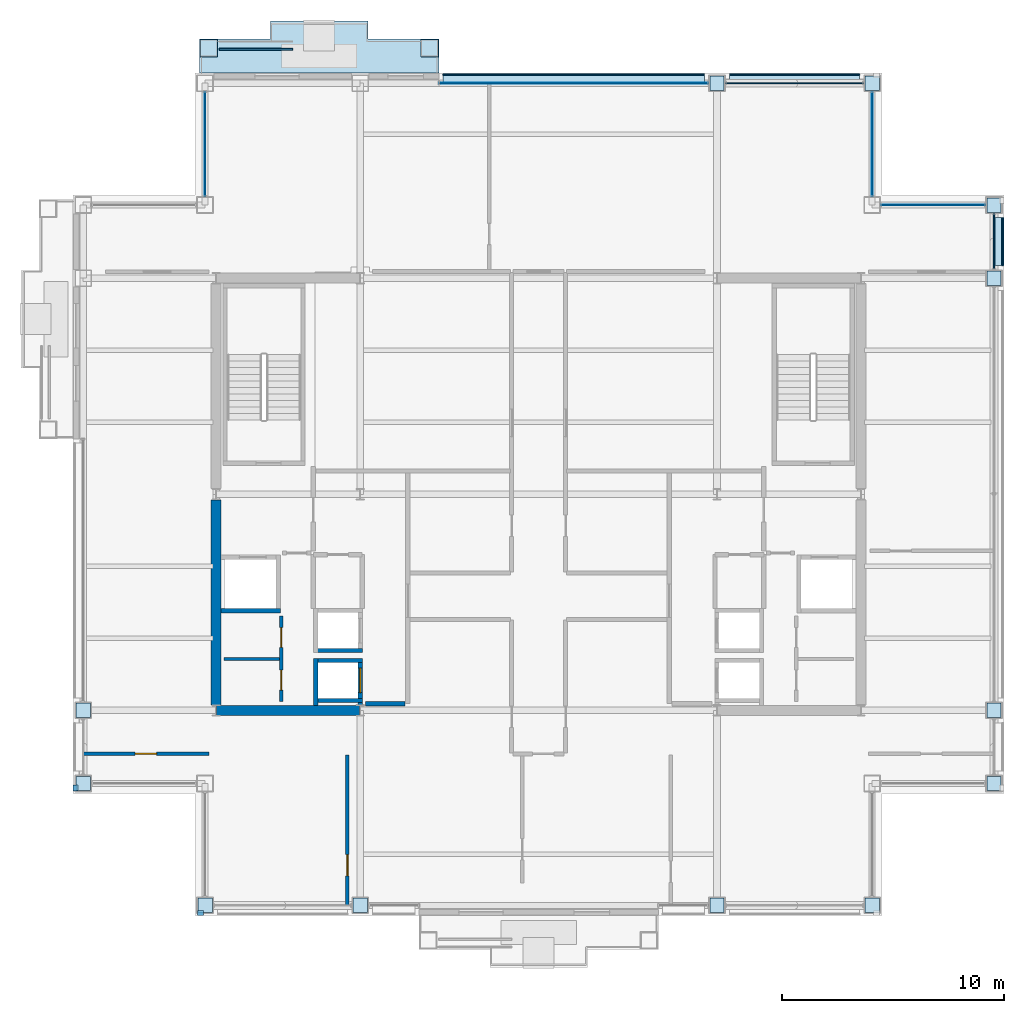
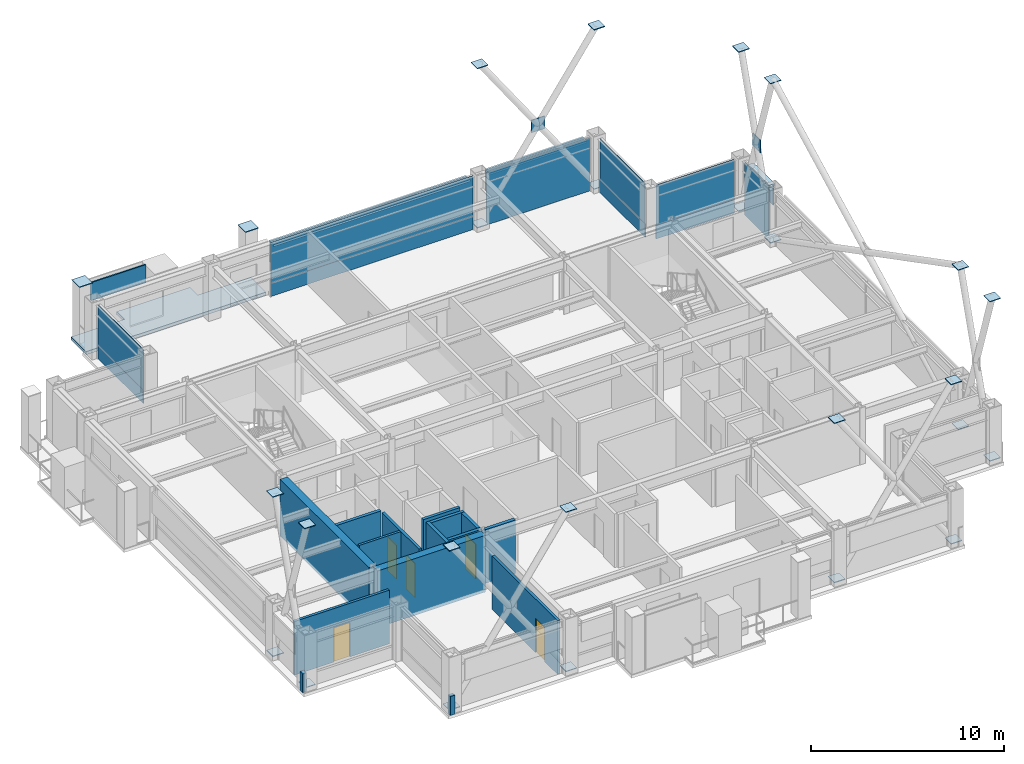
# One storey, part 26 of 32: 45 plates, 15 walls, 5 doors, 1 slab, 5 openings, 6 elements without a shape of their own.
"""IFC4 building model written with IfcOpenShell, lengths in metres."""

from ifc_helpers import new_model, si_unit, direction, frame, frame_2d, origin, origin_2d, place, context, subcontext, project, spatial, polyline, rectangle, outline, extrude, material, layer, layer_set, type_object, element, fill, aggregate, save


model = new_model("IFC4")

# Units and contexts
model_context = context("Model", 3, precision=1e-05, world=origin(), true_north=direction((0.0, 1.0)))
body_context = subcontext(model_context, "Body", "Model", "MODEL_VIEW")
ifc_project = project(units=[si_unit("LENGTHUNIT", "METRE"), si_unit("AREAUNIT", "SQUARE_METRE"), si_unit("VOLUMEUNIT", "CUBIC_METRE"), si_unit("PLANEANGLEUNIT", "RADIAN"), si_unit("MASSUNIT", "GRAM", prefix="KILO")], contexts=[model_context])

# Site, building, storey
site_placement = place(None, origin())
site = spatial("IfcSite", under=ifc_project, at=site_placement, CompositionType="ELEMENT")
building_placement = place(site_placement, origin())
building = spatial("IfcBuilding", under=site, at=building_placement, Name="Brelmoor Portico Tower", CompositionType="ELEMENT")
storey_placement = place(building_placement, frame((0.0, 0.0, 162.300048828125)))
storey = spatial("IfcBuildingStorey", under=building, at=storey_placement, Name="L42", CompositionType="ELEMENT", Elevation=162.300048828125)

# Plates
ifc_material_1 = material(Name="Steel Q355B", Category="steel")
ifc_layer_1 = layer(ifc_material_1, 0.044921875)
ifc_layer_set_1 = layer_set([ifc_layer_1], Name="Steel Q355B")
plate_type_1 = type_object("IfcPlateType", Name="PT-CAP-650", PredefinedType="SHEET", material=ifc_layer_set_1)
for number, where, z_axis, x_axis, name in (
    (1, (-14.8798828125, 20.1298828125, 3.599853515625), (0.0, 0.0, 1.0), (1.0, 0.0, 0.0), "L42 Proud Picture-Frame Pier PFJ-N1 Welded Head Cap Plate"),
    (2, (-4.919921875, 20.1298828125, 3.599853515625), (0.0, 0.0, 1.0), (1.0, 0.0, 0.0), "L42 Proud Picture-Frame Pier PFJ-N2 Welded Head Cap Plate"),
):
    element("IfcPlate", number, at=place(storey_placement, frame(where, z_axis=z_axis, x_axis=x_axis)), inside=storey, type_object=plate_type_1, Name=name, PredefinedType="SHEET", context=body_context, shape_type="SweptSolid", body=[
        extrude(rectangle(XDim=0.7900390625, YDim=0.7900390625, at=origin_2d()), origin(), (0.0, 0.0, 1.0), 0.0400390625),
    ])
for number, where, z_axis, x_axis, name in (
    (3, (-15.050048828125, -18.550048828125, 0.2275390625), (0.0, 0.0, 1.0), (1.0, 0.0, 0.0), "L42 Continuous Mega-X Brace 091A Joint Cap Plate 1"),
    (4, (-8.050048828125, -18.550048828125, 10.327392578125), (0.0, 0.0, 1.0), (1.0, 0.0, 0.0), "L42 Continuous Mega-X Brace 091A Joint Cap Plate 2"),
    (5, (-8.050048828125, -18.550048828125, 0.2275390625), (0.0, 0.0, 1.0), (1.0, 0.0, 0.0), "L42 Split Mega-X Brace 091B1 Joint Cap Plate 1"),
    (6, (-15.050048828125, -18.550048828125, 10.327392578125), (0.0, 0.0, 1.0), (1.0, 0.0, 0.0), "L42 Split Mega-X Brace 091B2 Joint Cap Plate 2"),
    (7, (8.050048828125, -18.550048828125, 0.2275390625), (0.0, 0.0, 1.0), (1.0, 0.0, 0.0), "L42 Continuous Mega-X Brace 092A Joint Cap Plate 1"),
    (8, (15.050048828125, -18.550048828125, 10.327392578125), (0.0, 0.0, 1.0), (1.0, 0.0, 0.0), "L42 Continuous Mega-X Brace 092A Joint Cap Plate 2"),
    (9, (15.050048828125, -18.550048828125, 0.2275390625), (0.0, 0.0, 1.0), (1.0, 0.0, 0.0), "L42 Split Mega-X Brace 092B1 Joint Cap Plate 1"),
    (10, (8.050048828125, -18.550048828125, 10.327392578125), (0.0, 0.0, 1.0), (1.0, 0.0, 0.0), "L42 Split Mega-X Brace 092B2 Joint Cap Plate 2"),
    (11, (8.050048828125, 18.550048828125, 0.2275390625), (0.0, 0.0, 1.0), (1.0, 0.0, 0.0), "L42 Continuous Mega-X Brace 093A Joint Cap Plate 1"),
    (12, (15.050048828125, 18.550048828125, 10.327392578125), (0.0, 0.0, 1.0), (1.0, 0.0, 0.0), "L42 Continuous Mega-X Brace 093A Joint Cap Plate 2"),
    (13, (15.050048828125, 18.550048828125, 0.2275390625), (0.0, 0.0, 1.0), (1.0, 0.0, 0.0), "L42 Split Mega-X Brace 093B1 Joint Cap Plate 1"),
    (14, (8.050048828125, 18.550048828125, 10.327392578125), (0.0, 0.0, 1.0), (1.0, 0.0, 0.0), "L42 Split Mega-X Brace 093B2 Joint Cap Plate 2"),
    (15, (-20.550048828125, -13.050048828125, 0.2275390625), (0.0, 0.0, 1.0), (1.0, 0.0, 0.0), "L42 Continuous Mega-X Brace 094A Joint Cap Plate 1"),
    (16, (-20.550048828125, -9.75, 10.327392578125), (0.0, 0.0, 1.0), (1.0, 0.0, 0.0), "L42 Continuous Mega-X Brace 094A Joint Cap Plate 2"),
    (17, (-20.550048828125, -9.75, 0.2275390625), (0.0, 0.0, 1.0), (1.0, 0.0, 0.0), "L42 Split Mega-X Brace 094B1 Joint Cap Plate 1"),
    (18, (-20.550048828125, -13.050048828125, 10.327392578125), (0.0, 0.0, 1.0), (1.0, 0.0, 0.0), "L42 Split Mega-X Brace 094B2 Joint Cap Plate 2"),
    (19, (20.550048828125, -13.050048828125, 0.2275390625), (0.0, 0.0, 1.0), (1.0, 0.0, 0.0), "L42 Continuous Mega-X Brace 095A Joint Cap Plate 1"),
    (20, (20.550048828125, -9.75, 10.327392578125), (0.0, 0.0, 1.0), (1.0, 0.0, 0.0), "L42 Continuous Mega-X Brace 095A Joint Cap Plate 2"),
    (21, (20.550048828125, -9.75, 0.2275390625), (0.0, 0.0, 1.0), (1.0, 0.0, 0.0), "L42 Split Mega-X Brace 095B1 Joint Cap Plate 1"),
    (22, (20.550048828125, -13.050048828125, 10.327392578125), (0.0, 0.0, 1.0), (1.0, 0.0, 0.0), "L42 Split Mega-X Brace 095B2 Joint Cap Plate 2"),
    (23, (20.550048828125, 9.75, 10.327392578125), (0.0, 0.0, 1.0), (1.0, 0.0, 0.0), "L42 Continuous Mega-X Brace 096A Joint Cap Plate 2"),
    (24, (20.550048828125, 9.75, 0.2275390625), (0.0, 0.0, 1.0), (1.0, 0.0, 0.0), "L42 Split Mega-X Brace 096B1 Joint Cap Plate 1"),
    (25, (20.550048828125, 13.050048828125, 10.327392578125), (0.0, 0.0, 1.0), (1.0, 0.0, 0.0), "L42 Continuous Mega-X Brace 097A Joint Cap Plate 2"),
    (26, (20.550048828125, 13.050048828125, 0.2275390625), (0.0, 0.0, 1.0), (1.0, 0.0, 0.0), "L42 Split Mega-X Brace 097B1 Joint Cap Plate 1"),
):
    element("IfcPlate", number, at=place(storey_placement, frame(where, z_axis=z_axis, x_axis=x_axis)), inside=storey, type_object=plate_type_1, Name=name, PredefinedType="SHEET", context=body_context, shape_type="SweptSolid", body=[
        extrude(rectangle(XDim=0.64990234375, YDim=0.64990234375, at=origin_2d()), origin(), (0.0, 0.0, 1.0), 0.044921875),
    ])

# Curtain wall, plate
ifc_material_2 = material(Name="Anodised Aluminium Alloy 6063-T6", Category="aluminium")
ifc_layer_2 = layer(ifc_material_2, 0.179931640625)
ifc_layer_set_2 = layer_set([ifc_layer_2], Name="Anodised Aluminium Alloy 6063-T6")
curtain_wall_type_1 = type_object("IfcCurtainWallType", Name="CW-TOWER-Z3", PredefinedType="NOTDEFINED", material=ifc_layer_set_2)
curtain_wall_1_placement = place(storey_placement, origin())
curtain_wall_1 = element("IfcCurtainWall", 27, at=curtain_wall_1_placement, inside=storey, type_object=curtain_wall_type_1, Name="L42 Curtain Wall CW-L42-2R-1", PredefinedType="NOTDEFINED")
ifc_material_3 = material(Name="Double-Silver Low-E Insulated Glazing", Category="glass")
ifc_layer_3 = layer(ifc_material_3, 0.035888671875)
ifc_layer_set_3 = layer_set([ifc_layer_3], Name="Double-Silver Low-E Insulated Glazing")
plate_type_2 = type_object("IfcPlateType", Name="PT-CW-GLASS", PredefinedType="CURTAIN_PANEL", material=ifc_layer_set_3)
plate_1_placement = place(storey_placement, frame((1.58251953125, 18.550048828125, 0.85009765625), z_axis=(0.0, 0.0, 1.0), x_axis=(1.0, 0.0, 0.0)))
plate_1 = element("IfcPlate", 28, at=plate_1_placement, type_object=plate_type_2, Name="CW-L42-2R-1 Vision Glass Panel 00", PredefinedType="CURTAIN_PANEL", context=body_context, shape_type="SweptSolid", body=[
    extrude(rectangle(XDim=12.135009765625, YDim=0.035888671875, at=origin_2d()), origin(), (0.0, 0.0, 1.0), 2.550048828125),
])

ifc_layer_4 = layer(ifc_material_2, 0.179931640625)
ifc_layer_set_4 = layer_set([ifc_layer_4], Name="Anodised Aluminium Alloy 6063-T6")
curtain_wall_type_2 = type_object("IfcCurtainWallType", Name="CW-NOTCH-CHAMFER", PredefinedType="NOTDEFINED", material=ifc_layer_set_4)
curtain_wall_2_placement = place(storey_placement, origin())
curtain_wall_2 = element("IfcCurtainWall", 29, at=curtain_wall_2_placement, inside=storey, type_object=curtain_wall_type_2, Name="L42 Curtain Wall CWN-L42-NWV", PredefinedType="NOTDEFINED")
plate_2_placement = place(storey_placement, frame((-15.050048828125, 15.800048828125, 0.85009765625), z_axis=(0.0, 0.0, 1.0), x_axis=(0.0, 1.0, 0.0)))
plate_2 = element("IfcPlate", 30, at=plate_2_placement, type_object=plate_type_2, Name="CWN-L42-NWV Vision Glass Panel 00", PredefinedType="CURTAIN_PANEL", context=body_context, shape_type="SweptSolid", body=[
    extrude(rectangle(XDim=4.699951171875, YDim=0.035888671875, at=origin_2d()), origin(), (0.0, 0.0, 1.0), 2.550048828125),
])

curtain_wall_3_placement = place(storey_placement, origin())
curtain_wall_3 = element("IfcCurtainWall", 31, at=curtain_wall_3_placement, inside=storey, type_object=curtain_wall_type_2, Name="L42 Curtain Wall CWN-L42-NEH", PredefinedType="NOTDEFINED")
plate_3_placement = place(storey_placement, frame((17.800048828125, 13.050048828125, 0.85009765625), z_axis=(0.0, 0.0, 1.0), x_axis=(1.0, 0.0, 0.0)))
plate_3 = element("IfcPlate", 32, at=plate_3_placement, type_object=plate_type_2, Name="CWN-L42-NEH Vision Glass Panel 00", PredefinedType="CURTAIN_PANEL", context=body_context, shape_type="SweptSolid", body=[
    extrude(rectangle(XDim=4.699951171875, YDim=0.035888671875, at=origin_2d()), origin(), (0.0, 0.0, 1.0), 2.550048828125),
])

curtain_wall_4_placement = place(storey_placement, origin())
curtain_wall_4 = element("IfcCurtainWall", 33, at=curtain_wall_4_placement, inside=storey, type_object=curtain_wall_type_2, Name="L42 Curtain Wall CWN-L42-NEV", PredefinedType="NOTDEFINED")
plate_4_placement = place(storey_placement, frame((15.050048828125, 15.800048828125, 0.85009765625), z_axis=(0.0, 0.0, 1.0), x_axis=(0.0, 1.0, 0.0)))
plate_4 = element("IfcPlate", 34, at=plate_4_placement, type_object=plate_type_2, Name="CWN-L42-NEV Vision Glass Panel 00", PredefinedType="CURTAIN_PANEL", context=body_context, shape_type="SweptSolid", body=[
    extrude(rectangle(XDim=4.699951171875, YDim=0.035888671875, at=origin_2d()), origin(), (0.0, 0.0, 1.0), 2.550048828125),
])

# Plate
ifc_material_4 = material(Name="Pale Champagne Anodised Aluminium Panel", Category="aluminium")
ifc_layer_5 = layer(ifc_material_4, 0.050048828125)
ifc_layer_set_5 = layer_set([ifc_layer_5], Name="Pale Champagne Anodised Aluminium Panel")
plate_type_3 = type_object("IfcPlateType", Name="PT-CW-SPANDREL", PredefinedType="SHEET", material=ifc_layer_set_5)
plate_5_placement = place(storey_placement, frame((1.58251953125, 18.550048828125, 0.0), z_axis=(0.0, 0.0, 1.0), x_axis=(1.0, 0.0, 0.0)))
plate_5 = element("IfcPlate", 35, at=plate_5_placement, type_object=plate_type_3, Name="CW-L42-2R-1 Spandrel Panel 00", PredefinedType="SHEET", context=body_context, shape_type="SweptSolid", body=[
    extrude(rectangle(XDim=12.135009765625, YDim=0.050048828125, at=origin_2d()), origin(), (0.0, 0.0, 1.0), 0.85009765625),
])

aggregate(curtain_wall_1, [plate_5, plate_1])

# Curtain wall, plate
ifc_layer_6 = layer(ifc_material_2, 0.179931640625)
ifc_layer_set_6 = layer_set([ifc_layer_6], Name="Anodised Aluminium Alloy 6063-T6")
curtain_wall_type_3 = type_object("IfcCurtainWallType", Name="CW-TOWER-Z3-XB", PredefinedType="NOTDEFINED", material=ifc_layer_set_6)
curtain_wall_5_placement = place(storey_placement, origin())
curtain_wall_5 = element("IfcCurtainWall", 36, at=curtain_wall_5_placement, inside=storey, type_object=curtain_wall_type_3, Name="L42 Curtain Wall CW-L42-2R-2", PredefinedType="NOTDEFINED")
plate_6_placement = place(storey_placement, frame((11.550048828125, 18.550048828125, 0.0), z_axis=(0.0, 0.0, 1.0), x_axis=(1.0, 0.0, 0.0)))
plate_6 = element("IfcPlate", 37, at=plate_6_placement, type_object=plate_type_3, Name="CW-L42-2R-2 Spandrel Panel 00", PredefinedType="SHEET", context=body_context, shape_type="SweptSolid", body=[
    extrude(rectangle(XDim=6.199951171875, YDim=0.050048828125, at=origin_2d()), origin(), (0.0, 0.0, 1.0), 3.33740234375),
])
aggregate(curtain_wall_5, [plate_6])

curtain_wall_6_placement = place(storey_placement, origin())
curtain_wall_6 = element("IfcCurtainWall", 38, at=curtain_wall_6_placement, inside=storey, type_object=curtain_wall_type_3, Name="L42 Curtain Wall CW-L42-04-3", PredefinedType="NOTDEFINED")
plate_7_placement = place(storey_placement, frame((20.550048828125, 11.39990234375, 0.0), z_axis=(0.0, 0.0, 1.0), x_axis=(0.0, 1.0, 0.0)))
plate_7 = element("IfcPlate", 39, at=plate_7_placement, type_object=plate_type_3, Name="CW-L42-04-3 Spandrel Panel 00", PredefinedType="SHEET", context=body_context, shape_type="SweptSolid", body=[
    extrude(rectangle(XDim=2.5, YDim=0.050048828125, at=origin_2d()), origin(), (0.0, 0.0, 1.0), 3.33740234375),
])
aggregate(curtain_wall_6, [plate_7])

# Plate
plate_8_placement = place(storey_placement, frame((-15.050048828125, 15.800048828125, 0.0), z_axis=(0.0, 0.0, 1.0), x_axis=(0.0, 1.0, 0.0)))
plate_8 = element("IfcPlate", 40, at=plate_8_placement, type_object=plate_type_3, Name="CWN-L42-NWV Spandrel Panel 00", PredefinedType="SHEET", context=body_context, shape_type="SweptSolid", body=[
    extrude(rectangle(XDim=4.699951171875, YDim=0.050048828125, at=origin_2d()), origin(), (0.0, 0.0, 1.0), 0.85009765625),
])

aggregate(curtain_wall_2, [plate_8, plate_2])

plate_9_placement = place(storey_placement, frame((17.800048828125, 13.050048828125, 0.0), z_axis=(0.0, 0.0, 1.0), x_axis=(1.0, 0.0, 0.0)))
plate_9 = element("IfcPlate", 41, at=plate_9_placement, type_object=plate_type_3, Name="CWN-L42-NEH Spandrel Panel 00", PredefinedType="SHEET", context=body_context, shape_type="SweptSolid", body=[
    extrude(rectangle(XDim=4.699951171875, YDim=0.050048828125, at=origin_2d()), origin(), (0.0, 0.0, 1.0), 0.85009765625),
])

aggregate(curtain_wall_3, [plate_9, plate_3])

plate_10_placement = place(storey_placement, frame((15.050048828125, 15.800048828125, 0.0), z_axis=(0.0, 0.0, 1.0), x_axis=(0.0, 1.0, 0.0)))
plate_10 = element("IfcPlate", 42, at=plate_10_placement, type_object=plate_type_3, Name="CWN-L42-NEV Spandrel Panel 00", PredefinedType="SHEET", context=body_context, shape_type="SweptSolid", body=[
    extrude(rectangle(XDim=4.699951171875, YDim=0.050048828125, at=origin_2d()), origin(), (0.0, 0.0, 1.0), 0.85009765625),
])

aggregate(curtain_wall_4, [plate_10, plate_4])

# Plates
ifc_layer_7 = layer(ifc_material_1, 0.050048828125)
ifc_layer_set_7 = layer_set([ifc_layer_7], Name="Steel Q355B")
plate_type_4 = type_object("IfcPlateType", Name="PT-GUSSET-800", PredefinedType="USERDEFINED", material=ifc_layer_set_7)
plate_11_placement = place(storey_placement, frame((11.550048828125, 18.550048828125, 4.89990234375), z_axis=(0.0, 0.0, 1.0), x_axis=(1.0, 0.0, 0.0)))
element("IfcPlate", 43, at=plate_11_placement, inside=storey, type_object=plate_type_4, Name="L42 Perimeter Mega-Brace Gusset 093", ObjectType="GUSSET PLATE", PredefinedType="USERDEFINED", context=body_context, shape_type="SweptSolid", body=[
    extrude(rectangle(XDim=0.800048828125, YDim=0.050048828125, at=origin_2d()), origin(), (0.0, 0.0, 1.0), 0.800048828125),
])
plate_12_placement = place(storey_placement, frame((20.550048828125, 11.39990234375, 4.89990234375), z_axis=(0.0, 0.0, 1.0), x_axis=(1.0, 0.0, 0.0)))
element("IfcPlate", 44, at=plate_12_placement, inside=storey, type_object=plate_type_4, Name="L42 Perimeter Mega-Brace Gusset 097", ObjectType="GUSSET PLATE", PredefinedType="USERDEFINED", context=body_context, shape_type="SweptSolid", body=[
    extrude(rectangle(XDim=0.050048828125, YDim=0.800048828125, at=origin_2d()), origin(), (0.0, 0.0, 1.0), 0.800048828125),
])
ifc_material_5 = material(Name="Powder-Coated Aluminium Shuttered Jalousie Louvre", Category="aluminium")
ifc_layer_8 = layer(ifc_material_5, 0.06005859375)
ifc_layer_set_8 = layer_set([ifc_layer_8], Name="Powder-Coated Aluminium Shuttered Jalousie Louvre")
plate_type_5 = type_object("IfcPlateType", Name="PT-JALOUSIE-SHUTTER", PredefinedType="SHEET", material=ifc_layer_set_8)
plate_13_placement = place(storey_placement, frame((1.58251953125, 18.929931640625, 1.8740234375), z_axis=(0.0, 0.0, 1.0), x_axis=(1.0, 0.0, 0.0)))
element("IfcPlate", 45, at=plate_13_placement, inside=storey, type_object=plate_type_5, Name="CW-L42-2R-1 Perforated Jalousie Solar Screen", PredefinedType="SHEET", context=body_context, shape_type="SweptSolid", body=[
    extrude(rectangle(XDim=11.804931640625, YDim=0.06494140625, at=origin_2d()), origin(), (0.0, 0.0, 1.0), 1.325927734375),
])
plate_14_placement = place(storey_placement, frame((11.550048828125, 18.929931640625, 1.8740234375), z_axis=(0.0, 0.0, 1.0), x_axis=(1.0, 0.0, 0.0)))
element("IfcPlate", 46, at=plate_14_placement, inside=storey, type_object=plate_type_5, Name="CW-L42-2R-2 Perforated Jalousie Solar Screen", PredefinedType="SHEET", context=body_context, shape_type="SweptSolid", body=[
    extrude(rectangle(XDim=5.8701171875, YDim=0.06494140625, at=origin_2d()), origin(), (0.0, 0.0, 1.0), 1.325927734375),
])
plate_15_placement = place(storey_placement, frame((-12.75, 20.080078125, 2.27490234375), z_axis=(0.0, 0.0, 1.0), x_axis=(1.0, 0.0, 0.0)))
element("IfcPlate", 47, at=plate_15_placement, inside=storey, type_object=plate_type_5, Name="L42 Shuttered Veranda Screen N", PredefinedType="SHEET", context=body_context, shape_type="SweptSolid", body=[
    extrude(rectangle(XDim=3.300048828125, YDim=0.080078125, at=origin_2d()), origin(), (0.0, 0.0, 1.0), 1.14990234375),
])
plate_16_placement = place(storey_placement, frame((20.929931640625, 11.39990234375, 1.8740234375), z_axis=(0.0, 0.0, 1.0), x_axis=(0.0, 1.0, 0.0)))
element("IfcPlate", 48, at=plate_16_placement, inside=storey, type_object=plate_type_5, Name="CW-L42-04-3 Perforated Jalousie Solar Screen", PredefinedType="SHEET", context=body_context, shape_type="SweptSolid", body=[
    extrude(rectangle(XDim=2.169921875, YDim=0.06494140625, at=origin_2d()), origin(), (0.0, 0.0, 1.0), 1.325927734375),
])
ifc_material_6 = material(Name="Pale Champagne Perforated Aluminium Solar Screen", Category="aluminium")
ifc_layer_9 = layer(ifc_material_6, 0.054931640625)
ifc_layer_set_9 = layer_set([ifc_layer_9], Name="Pale Champagne Perforated Aluminium Solar Screen")
plate_type_6 = type_object("IfcPlateType", Name="PT-SOLAR-LOUVRE", PredefinedType="SHEET", material=ifc_layer_set_9)
plate_17_placement = place(storey_placement, frame((1.58251953125, 18.760009765625, 3.08984375), z_axis=(0.0, 0.0, 1.0), x_axis=(1.0, 0.0, 0.0)))
element("IfcPlate", 49, at=plate_17_placement, inside=storey, type_object=plate_type_6, Name="CW-L42-2R-1 Caribbean Brise-Soleil Solar Screen", PredefinedType="SHEET", context=body_context, shape_type="SweptSolid", body=[
    extrude(rectangle(XDim=11.804931640625, YDim=0.4599609375, at=origin_2d()), origin(), (0.0, 0.0, 1.0), 0.139892578125),
])
plate_18_placement = place(storey_placement, frame((11.550048828125, 18.760009765625, 3.08984375), z_axis=(0.0, 0.0, 1.0), x_axis=(1.0, 0.0, 0.0)))
element("IfcPlate", 50, at=plate_18_placement, inside=storey, type_object=plate_type_6, Name="CW-L42-2R-2 Caribbean Brise-Soleil Solar Screen", PredefinedType="SHEET", context=body_context, shape_type="SweptSolid", body=[
    extrude(rectangle(XDim=5.8701171875, YDim=0.4599609375, at=origin_2d()), origin(), (0.0, 0.0, 1.0), 0.139892578125),
])
plate_19_placement = place(storey_placement, frame((20.760009765625, 11.39990234375, 3.08984375), z_axis=(0.0, 0.0, 1.0), x_axis=(0.0, 1.0, 0.0)))
element("IfcPlate", 51, at=plate_19_placement, inside=storey, type_object=plate_type_6, Name="CW-L42-04-3 Caribbean Brise-Soleil Solar Screen", PredefinedType="SHEET", context=body_context, shape_type="SweptSolid", body=[
    extrude(rectangle(XDim=2.169921875, YDim=0.4599609375, at=origin_2d()), origin(), (0.0, 0.0, 1.0), 0.139892578125),
])

# Slab
ifc_material_7 = material(Name="Concrete C40", Category="concrete")
ifc_layer_10 = layer(ifc_material_7, 0.199951171875)
ifc_layer_set_10 = layer_set([ifc_layer_10], Name="Concrete C40")
slab_type = type_object("IfcSlabType", Name="SL-BALCONY-200", PredefinedType="FLOOR", material=ifc_layer_set_10)
slab_placement = place(storey_placement, frame((0.0, 0.0, -0.199951171875)))
element("IfcSlab", 52, at=slab_placement, inside=storey, type_object=slab_type, Name="L42 Loggia Tree Balcony Slab N", PredefinedType="FLOOR", context=body_context, shape_type="SweptSolid", body=[
    extrude(outline(polyline([(-15.300048828125, 19.0), (-4.5, 19.0), (-4.5, 20.550048828125), (-7.699951171875, 20.550048828125), (-7.699951171875, 21.35009765625), (-12.10009765625, 21.35009765625), (-12.10009765625, 20.550048828125), (-15.300048828125, 20.550048828125), (-15.300048828125, 19.0)])), origin(), (0.0, 0.0, 1.0), 0.199951171875),
])

# Walls
ifc_material_8 = material(Name="Concrete C50", Category="concrete")
ifc_layer_11 = layer(ifc_material_8, 0.449951171875)
ifc_layer_set_11 = layer_set([ifc_layer_11], Name="Concrete C50")
wall_type_1 = type_object("IfcWallType", Name="WL-CORE-450", PredefinedType="SHEAR", material=ifc_layer_set_11)
wall_1_placement = place(storey_placement, frame((-14.530029296875, -9.75, -0.199951171875), z_axis=(0.0, 0.0, 1.0), x_axis=(1.0, 0.0, 0.0)))
element("IfcWall", 53, at=wall_1_placement, inside=storey, type_object=wall_type_1, Name="L42 WC South Shear Wall", PredefinedType="SHEAR", context=body_context, shape_type="SweptSolid", body=[
    extrude(rectangle(XDim=6.4599609375, YDim=0.449951171875, at=frame_2d((3.22998046875, 0.0))), origin(), (0.0, 0.0, 1.0), 3.599853515625),
])
wall_2_placement = place(storey_placement, frame((-14.550048828125, -9.5, -0.199951171875), z_axis=(0.0, 0.0, 1.0), x_axis=(0.0, 1.0, 0.0)))
element("IfcWall", 54, at=wall_2_placement, inside=storey, type_object=wall_type_1, Name="L42 WC Outer South Shear Wall", PredefinedType="SHEAR", context=body_context, shape_type="SweptSolid", body=[
    extrude(rectangle(XDim=9.25, YDim=0.449951171875, at=frame_2d((4.625, 0.0))), origin(), (0.0, 0.0, 1.0), 3.599853515625),
])
ifc_material_9 = material(Name="Concrete C40 Parapet Upstand", Category="concrete")
ifc_layer_12 = layer(ifc_material_9, 0.219970703125)
ifc_layer_set_12 = layer_set([ifc_layer_12], Name="Concrete C40 Parapet Upstand")
wall_type_2 = type_object("IfcWallType", Name="WL-PARAPET-220", PredefinedType="PARAPET", material=ifc_layer_set_12)
for number, where, z_axis, x_axis, name in (
    (55, (-15.389892578125, -18.889892578125, 0.0), (0.0, 0.0, 1.0), (1.0, 0.0, 0.0), "L42 Chamfer Vertex Parapet Pier SW1"),
    (56, (-20.889892578125, -13.389892578125, 0.0), (0.0, 0.0, 1.0), (0.0, 1.0, 0.0), "L42 Chamfer Vertex Parapet Pier SW2"),
):
    element("IfcWall", number, at=place(storey_placement, frame(where, z_axis=z_axis, x_axis=x_axis)), inside=storey, type_object=wall_type_2, Name=name, PredefinedType="PARAPET", context=body_context, shape_type="SweptSolid", body=[
        extrude(rectangle(XDim=0.269775390625, YDim=0.219970703125, at=frame_2d((0.134765625, 0.0))), origin(), (0.0, 0.0, 1.0), 1.199951171875),
    ])
ifc_material_10 = material(Name="Insulated Stud Suite Partition", Category="gypsum")
ifc_layer_13 = layer(ifc_material_10, 0.139892578125)
ifc_layer_set_13 = layer_set([ifc_layer_13], Name="Insulated Stud Suite Partition")
wall_type_3 = type_object("IfcWallType", Name="WL-PART-140", PredefinedType="PARTITIONING", material=ifc_layer_set_13)
wall_3_placement = place(storey_placement, frame((-11.699951171875, -7.425048828125, 0.0), z_axis=(0.0, 0.0, 1.0), x_axis=(-1.0, 0.0, 0.0)))
element("IfcWall", 57, at=wall_3_placement, inside=storey, type_object=wall_type_3, Name="L42 W Core WC Divider 1", PredefinedType="PARTITIONING", context=body_context, shape_type="SweptSolid", body=[
    extrude(rectangle(XDim=2.5, YDim=0.139892578125, at=frame_2d((1.25, 0.0))), origin(), (0.0, 0.0, 1.0), 3.39990234375),
])

# Wall, openings, doors
ifc_material_11 = material(Name="Twin-Frame Acoustic Partition", Category="gypsum")
ifc_layer_14 = layer(ifc_material_11, 0.159912109375)
ifc_layer_set_14 = layer_set([ifc_layer_14], Name="Twin-Frame Acoustic Partition")
wall_type_4 = type_object("IfcWallType", Name="WL-PART-160", PredefinedType="PARTITIONING", material=ifc_layer_set_14)
wall_4_placement = place(storey_placement, frame((-11.6201171875, -9.35009765625, 0.0), z_axis=(0.0, 0.0, 1.0), x_axis=(0.0, 1.0, 0.0)))
wall_4 = element("IfcWall", 58, at=wall_4_placement, inside=storey, type_object=wall_type_4, Name="L42 W Core Service Front Wall", PredefinedType="PARTITIONING", context=body_context, shape_type="SweptSolid", body=[
    extrude(rectangle(XDim=3.85009765625, YDim=0.159912109375, at=frame_2d((1.925048828125, 0.0))), origin(), (0.0, 0.0, 1.0), 3.39990234375),
])
opening_1_placement = place(wall_4_placement, frame((0.512451171875, 0.0, 0.0)))
opening_1 = element("IfcOpeningElement", 59, at=opening_1_placement, cuts=wall_4, Name="Opening D-IN1", PredefinedType="OPENING", context=body_context, shape_type="SweptSolid", body=[
    extrude(rectangle(XDim=0.89990234375, YDim=2.14990234375, at=frame_2d((0.449951171875, 1.074951171875))), frame((0.0, 0.08984375, 0.0), z_axis=(0.0, -1.0, 0.0), x_axis=(1.0, 0.0, 0.0)), (0.0, 0.0, 1.0), 0.179931640625),
])
opening_2_placement = place(wall_4_placement, frame((2.4375, 0.0, 0.0)))
opening_2 = element("IfcOpeningElement", 60, at=opening_2_placement, cuts=wall_4, Name="Opening D-IN1", PredefinedType="OPENING", context=body_context, shape_type="SweptSolid", body=[
    extrude(rectangle(XDim=0.89990234375, YDim=2.14990234375, at=frame_2d((0.449951171875, 1.074951171875))), frame((0.0, 0.08984375, 0.0), z_axis=(0.0, -1.0, 0.0), x_axis=(1.0, 0.0, 0.0)), (0.0, 0.0, 1.0), 0.179931640625),
])
ifc_material_12 = material(Name="Lacquered Timber Suite Door", Category="wood")
door_type_1 = type_object("IfcDoorType", Name="DR-INT-900", OperationType="NOTDEFINED", PredefinedType="DOOR", material=ifc_material_12)
door_1_placement = place(opening_1_placement, origin())
door_1 = element("IfcDoor", 61, at=door_1_placement, inside=storey, type_object=door_type_1, Name="D-1791 L42 W Accessible WC Door", OperationType="SINGLE_SWING_LEFT", OverallHeight=2.14990234375, OverallWidth=0.89990234375, PredefinedType="DOOR", context=body_context, shape_type="SweptSolid", body=[
    extrude(rectangle(XDim=0.89990234375, YDim=2.14990234375, at=frame_2d((0.449951171875, 1.074951171875))), frame((0.0, 0.02490234375, 0.0), z_axis=(0.0, -1.0, 0.0), x_axis=(1.0, 0.0, 0.0)), (0.0, 0.0, 1.0), 0.050048828125),
])
fill(opening_1, door_1)
door_2_placement = place(opening_2_placement, origin())
door_2 = element("IfcDoor", 62, at=door_2_placement, inside=storey, type_object=door_type_1, Name="D-1792 L42 W Staff WC Door", OperationType="SINGLE_SWING_RIGHT", OverallHeight=2.14990234375, OverallWidth=0.89990234375, PredefinedType="DOOR", context=body_context, shape_type="SweptSolid", body=[
    extrude(rectangle(XDim=0.89990234375, YDim=2.14990234375, at=frame_2d((0.449951171875, 1.074951171875))), frame((0.0, 0.02490234375, 0.0), z_axis=(0.0, -1.0, 0.0), x_axis=(1.0, 0.0, 0.0)), (0.0, 0.0, 1.0), 0.050048828125),
])
fill(opening_2, door_2)

# Wall, opening, door
wall_5_placement = place(storey_placement, frame((-8.624267578125, -18.56005859375, 0.0), z_axis=(0.0, 0.0, 1.0), x_axis=(0.0, 1.0, 0.0)))
wall_5 = element("IfcWall", 63, at=wall_5_placement, inside=storey, type_object=wall_type_4, Name="L42 South Suite Partition 1", PredefinedType="PARTITIONING", context=body_context, shape_type="SweptSolid", body=[
    extrude(rectangle(XDim=6.7900390625, YDim=0.159912109375, at=frame_2d((3.39501953125, 0.0))), origin(), (0.0, 0.0, 1.0), 3.39990234375),
])
opening_3_placement = place(wall_5_placement, frame((1.340087890625, 0.0, 0.0)))
opening_3 = element("IfcOpeningElement", 64, at=opening_3_placement, cuts=wall_5, Name="Opening D-IN2", PredefinedType="OPENING", context=body_context, shape_type="SweptSolid", body=[
    extrude(rectangle(XDim=0.9599609375, YDim=2.179931640625, at=frame_2d((0.47998046875, 1.08984375))), frame((0.0, 0.08984375, 0.0), z_axis=(0.0, -1.0, 0.0), x_axis=(1.0, 0.0, 0.0)), (0.0, 0.0, 1.0), 0.179931640625),
])
door_type_2 = type_object("IfcDoorType", Name="DR-INT-950", OperationType="NOTDEFINED", PredefinedType="DOOR", material=ifc_material_12)
door_3_placement = place(opening_3_placement, origin())
door_3 = element("IfcDoor", 65, at=door_3_placement, inside=storey, type_object=door_type_2, Name="D-1804 L42 South Suite Connecting Door 1", OperationType="SINGLE_SWING_RIGHT", OverallHeight=2.179931640625, OverallWidth=0.9599609375, PredefinedType="DOOR", context=body_context, shape_type="SweptSolid", body=[
    extrude(rectangle(XDim=0.9599609375, YDim=2.179931640625, at=frame_2d((0.47998046875, 1.08984375))), frame((0.0, 0.02490234375, 0.0), z_axis=(0.0, -1.0, 0.0), x_axis=(1.0, 0.0, 0.0)), (0.0, 0.0, 1.0), 0.050048828125),
])
fill(opening_3, door_3)

wall_6_placement = place(storey_placement, frame((-20.56005859375, -11.7099609375, 0.0), z_axis=(0.0, 0.0, 1.0), x_axis=(1.0, 0.0, 0.0)))
wall_6 = element("IfcWall", 66, at=wall_6_placement, inside=storey, type_object=wall_type_4, Name="L42 South Wing Closure WL", PredefinedType="PARTITIONING", context=body_context, shape_type="SweptSolid", body=[
    extrude(rectangle(XDim=5.68017578125, YDim=0.159912109375, at=frame_2d((2.840087890625, 0.0))), origin(), (0.0, 0.0, 1.0), 3.39990234375),
])
opening_4_placement = place(wall_6_placement, frame((2.360107421875, 0.0, 0.0)))
opening_4 = element("IfcOpeningElement", 67, at=opening_4_placement, cuts=wall_6, Name="Opening D-IN2", PredefinedType="OPENING", context=body_context, shape_type="SweptSolid", body=[
    extrude(rectangle(XDim=0.9599609375, YDim=2.179931640625, at=frame_2d((0.47998046875, 1.08984375))), frame((0.0, 0.08984375, 0.0), z_axis=(0.0, -1.0, 0.0), x_axis=(1.0, 0.0, 0.0)), (0.0, 0.0, 1.0), 0.179931640625),
])
door_4_placement = place(opening_4_placement, origin())
door_4 = element("IfcDoor", 68, at=door_4_placement, inside=storey, type_object=door_type_2, Name="D-1810 L42 WL Wing South Suite Door", OperationType="SINGLE_SWING_RIGHT", OverallHeight=2.179931640625, OverallWidth=0.9599609375, PredefinedType="DOOR", context=body_context, shape_type="SweptSolid", body=[
    extrude(rectangle(XDim=0.9599609375, YDim=2.179931640625, at=frame_2d((0.47998046875, 1.08984375))), frame((0.0, 0.02490234375, 0.0), z_axis=(0.0, -1.0, 0.0), x_axis=(1.0, 0.0, 0.0)), (0.0, 0.0, 1.0), 0.050048828125),
])
fill(opening_4, door_4)

# Wall
ifc_material_13 = material(Name="Double-Stud Gypsum Fire Partition", Category="gypsum")
ifc_layer_15 = layer(ifc_material_13, 0.199951171875)
ifc_layer_set_15 = layer_set([ifc_layer_15], Name="Double-Stud Gypsum Fire Partition")
wall_type_5 = type_object("IfcWallType", Name="WL-PART-200", PredefinedType="PARTITIONING", material=ifc_layer_set_15)
wall_7_placement = place(storey_placement, frame((-6.02001953125, -9.449951171875, 0.0), z_axis=(0.0, 0.0, 1.0), x_axis=(-1.0, 0.0, 0.0)))
element("IfcWall", 69, at=wall_7_placement, inside=storey, type_object=wall_type_5, Name="L42 W Lift Lobby South End Wall", PredefinedType="PARTITIONING", context=body_context, shape_type="SweptSolid", body=[
    extrude(rectangle(XDim=1.800048828125, YDim=0.199951171875, at=frame_2d((0.89990234375, 0.0))), origin(), (0.0, 0.0, 1.0), 3.39990234375),
])

# Wall, opening, door
ifc_material_14 = material(Name="Precast Concrete C40", Category="concrete")
ifc_layer_16 = layer(ifc_material_14, 0.18994140625)
ifc_layer_set_16 = layer_set([ifc_layer_16], Name="Precast Concrete C40")
wall_type_6 = type_object("IfcWallType", Name="WL-SHAFT-180", PredefinedType="SOLIDWALL", material=ifc_layer_set_16)
wall_8_placement = place(storey_placement, frame((-8.044921875, -9.52001953125, -0.199951171875), z_axis=(0.0, 0.0, 1.0), x_axis=(0.0, 1.0, 0.0)))
wall_8 = element("IfcWall", 70, at=wall_8_placement, inside=storey, type_object=wall_type_6, Name="L42 Lift PH1 Hoistway Front Wall", PredefinedType="SOLIDWALL", context=body_context, shape_type="SweptSolid", body=[
    extrude(rectangle(XDim=2.1201171875, YDim=0.18994140625, at=frame_2d((1.06005859375, 0.0))), origin(), (0.0, 0.0, 1.0), 3.599853515625),
])
opening_5_placement = place(wall_8_placement, frame((0.570068359375, 0.0, 0.199951171875)))
opening_5 = element("IfcOpeningElement", 71, at=opening_5_placement, cuts=wall_8, Name="Opening LD-01", PredefinedType="OPENING", context=body_context, shape_type="SweptSolid", body=[
    extrude(rectangle(XDim=1.10009765625, YDim=2.199951171875, at=frame_2d((0.550048828125, 1.10009765625))), frame((0.0, 0.10498046875, 0.0), z_axis=(0.0, -1.0, 0.0), x_axis=(1.0, 0.0, 0.0)), (0.0, 0.0, 1.0), 0.2099609375),
])
ifc_material_15 = material(Name="Brushed Stainless Steel Sliding Lift Door", Category="steel")
door_type_3 = type_object("IfcDoorType", Name="DR-LIFT-1100", OperationType="NOTDEFINED", PredefinedType="DOOR", material=ifc_material_15)
door_5_placement = place(opening_5_placement, origin())
door_5 = element("IfcDoor", 72, at=door_5_placement, inside=storey, type_object=door_type_3, Name="D-1817 L42 Lift PH1 Sliding Landing Door", OperationType="SLIDING_TO_LEFT", OverallHeight=2.199951171875, OverallWidth=1.10009765625, PredefinedType="DOOR", context=body_context, shape_type="SweptSolid", body=[
    extrude(rectangle(XDim=1.10009765625, YDim=2.199951171875, at=frame_2d((0.550048828125, 1.10009765625))), frame((0.0, 0.02490234375, 0.0), z_axis=(0.0, -1.0, 0.0), x_axis=(1.0, 0.0, 0.0)), (0.0, 0.0, 1.0), 0.050048828125),
])
fill(opening_5, door_5)

# Walls
wall_9_placement = place(storey_placement, frame((-10.054931640625, -9.52001953125, -0.199951171875), z_axis=(0.0, 0.0, 1.0), x_axis=(0.0, 1.0, 0.0)))
element("IfcWall", 73, at=wall_9_placement, inside=storey, type_object=wall_type_6, Name="L42 Lift PH1 Hoistway Back Wall", PredefinedType="SOLIDWALL", context=body_context, shape_type="SweptSolid", body=[
    extrude(rectangle(XDim=2.1201171875, YDim=0.18994140625, at=frame_2d((1.06005859375, 0.0))), origin(), (0.0, 0.0, 1.0), 3.599853515625),
])
for number, where, z_axis, x_axis, name in (
    (74, (-10.14990234375, -7.4951171875, -0.199951171875), (0.0, 0.0, 1.0), (1.0, 0.0, 0.0), "L42 Lift PH1 Hoistway North Wall"),
    (75, (-10.14990234375, -9.304931640625, -0.199951171875), (0.0, 0.0, 1.0), (1.0, 0.0, 0.0), "L42 Lift PH1 Hoistway South Wall"),
    (76, (-10.14990234375, -7.054931640625, -0.199951171875), (0.0, 0.0, 1.0), (1.0, 0.0, 0.0), "L42 Lift PH2 Hoistway South Wall"),
):
    element("IfcWall", number, at=place(storey_placement, frame(where, z_axis=z_axis, x_axis=x_axis)), inside=storey, type_object=wall_type_6, Name=name, PredefinedType="SOLIDWALL", context=body_context, shape_type="SweptSolid", body=[
        extrude(rectangle(XDim=2.199951171875, YDim=0.18994140625, at=frame_2d((1.10009765625, 0.0))), origin(), (0.0, 0.0, 1.0), 3.599853515625),
    ])
wall_10_placement = place(storey_placement, frame((-14.330078125, -5.2548828125, -0.199951171875), z_axis=(0.0, 0.0, 1.0), x_axis=(1.0, 0.0, 0.0)))
element("IfcWall", 77, at=wall_10_placement, inside=storey, type_object=wall_type_6, Name="L42 Firefighting Lift FF1 South Wall", PredefinedType="SOLIDWALL", context=body_context, shape_type="SweptSolid", body=[
    extrude(rectangle(XDim=2.68017578125, YDim=0.18994140625, at=frame_2d((1.340087890625, 0.0))), origin(), (0.0, 0.0, 1.0), 3.599853515625),
])

save(model, "model.ifc")
